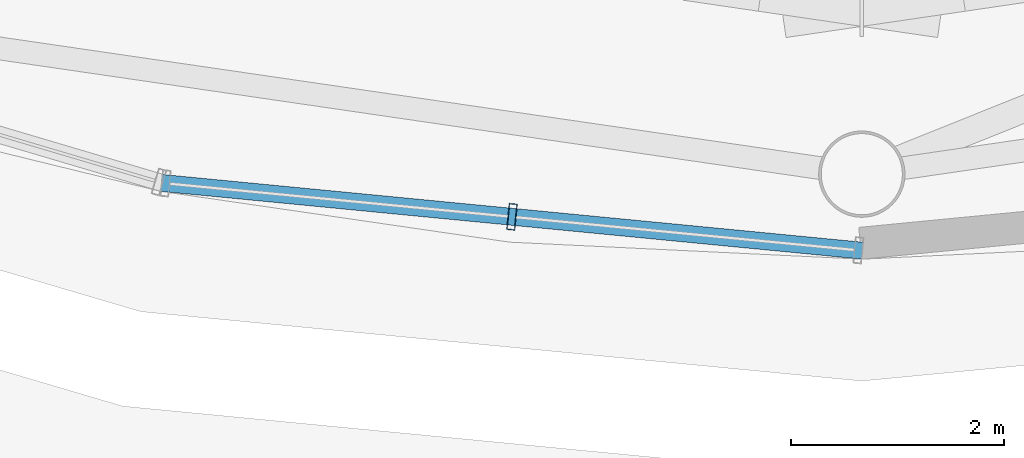
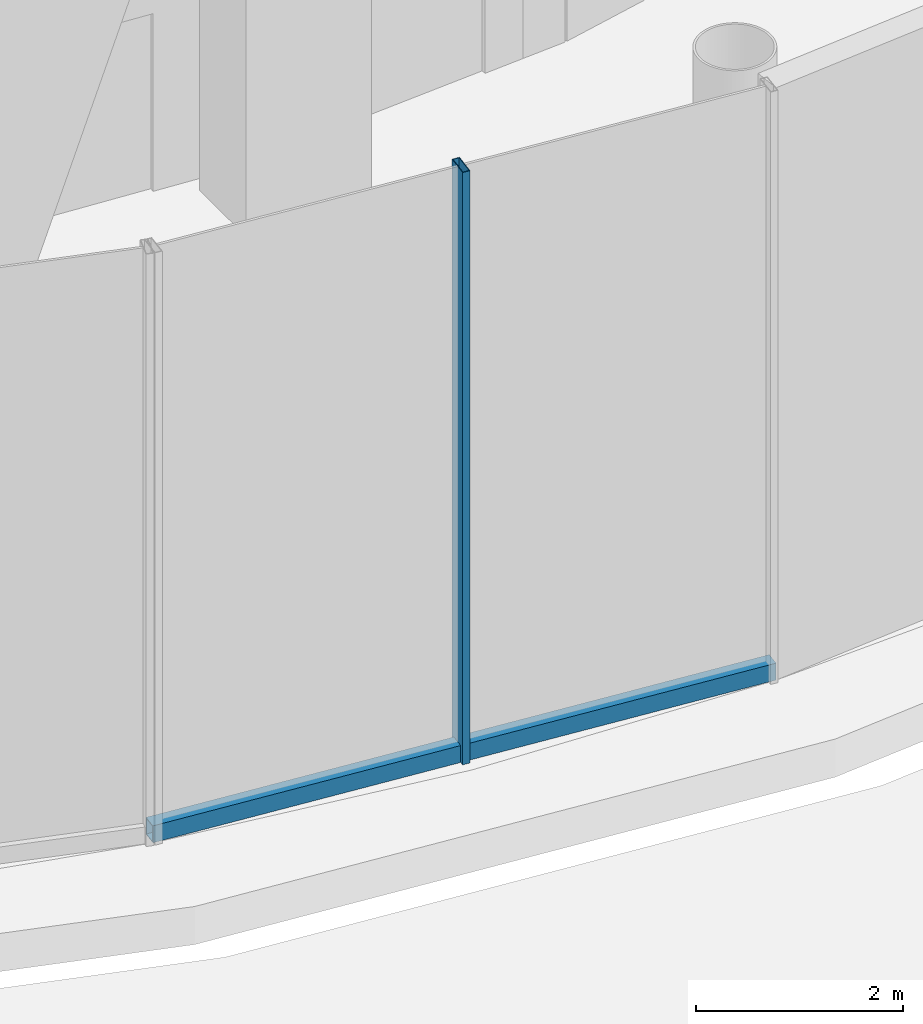
# One storey, part 12 of 67: 2 members, 1 element without a shape of its own.
"""IFC4 building model written with IfcOpenShell, lengths in metres."""

from ifc_helpers import new_model, si_unit, direction, frame, origin, origin_2d, place, context, subcontext, project, spatial, hollow_rectangle, extrude, material, layer, layer_set, material_profile, profile_set, type_object, element, aggregate, save


model = new_model("IFC4")

# Units and contexts
model_context = context("Model", 3, precision=1e-05, world=origin(), true_north=direction((0.0, 1.0)))
body_context = subcontext(model_context, "Body", "Model", "MODEL_VIEW")
ifc_project = project(units=[si_unit("LENGTHUNIT", "METRE"), si_unit("AREAUNIT", "SQUARE_METRE"), si_unit("VOLUMEUNIT", "CUBIC_METRE"), si_unit("PLANEANGLEUNIT", "RADIAN"), si_unit("MASSUNIT", "GRAM", prefix="KILO")], contexts=[model_context])

# Site, building, storey
site_placement = place(None, origin())
site = spatial("IfcSite", under=ifc_project, at=site_placement, CompositionType="ELEMENT")
building_placement = place(site_placement, origin())
building = spatial("IfcBuilding", under=site, at=building_placement, Name="Nagisa Residences", CompositionType="ELEMENT")
storey_placement = place(building_placement, origin())
storey = spatial("IfcBuildingStorey", under=building, at=storey_placement, Name="L00", CompositionType="ELEMENT", Elevation=0.0)

# Curtain wall, members
ifc_material_1 = material(Name="Stainless steel curtain wall system", Category="steel")
ifc_layer = layer(ifc_material_1, 0.159912109375)
ifc_layer_set = layer_set([ifc_layer], Name="CW3 CURTAIN WALL")
curtain_wall_type = type_object("IfcCurtainWallType", Name="CW3 CURTAIN WALL", PredefinedType="NOTDEFINED", material=ifc_layer_set)
curtain_wall_placement = place(storey_placement, origin())
curtain_wall = element("IfcCurtainWall", 1, at=curtain_wall_placement, inside=storey, type_object=curtain_wall_type, Name="cw:CW3:L00:26", PredefinedType="NOTDEFINED")
ifc_material_2 = material(Name="Stainless steel", Category="steel")
ifc_material_profile_1 = material_profile(ifc_material_2, hollow_rectangle(XDim=0.25, YDim=0.080078125, WallThickness=0.008056640625, at=origin_2d()), Name="CW3 MULLION 250x80")
ifc_profile_set_1 = profile_set([ifc_material_profile_1], Name="Stainless steel")
member_type_1 = type_object("IfcMemberType", Name="CW3 MULLION 250x80", PredefinedType="MULLION", material=ifc_profile_set_1)
member_1_placement = place(storey_placement, frame((0.308349609375, -41.601318359375, 0.0), z_axis=(0.0, 0.0, 1.0), x_axis=(0.096249055035, 0.995357282289, 0.0)))
member_1 = element("IfcMember", 2, at=member_1_placement, type_object=member_type_1, Name="CW3 mullion", PredefinedType="MULLION", context=body_context, shape_type="SweptSolid", body=[
    extrude(hollow_rectangle(XDim=0.25, YDim=0.080078125, WallThickness=0.008056640625, at=origin_2d()), origin(), (0.0, 0.0, 1.0), 7.0),
])
ifc_material_3 = material(Name="Stainless steel", Category="steel")
ifc_material_profile_2 = material_profile(ifc_material_3, hollow_rectangle(XDim=0.159912109375, YDim=0.199951171875, WallThickness=0.008056640625, at=origin_2d()), Name="CW3 TRANSOM 160x200")
ifc_profile_set_2 = profile_set([ifc_material_profile_2], Name="Stainless steel")
member_type_2 = type_object("IfcMemberType", Name="CW3 TRANSOM 160x200", PredefinedType="USERDEFINED", material=ifc_profile_set_2)
member_2_placement = place(storey_placement, frame((-2.990966796875, -41.2822265625, 0.10009765625), z_axis=(0.995355706687, -0.096265347687, 0.0), x_axis=(0.096265347687, 0.995355706687, 0.0)))
member_2 = element("IfcMember", 3, at=member_2_placement, type_object=member_type_2, Name="CW3 transom", ObjectType="TRANSOM", PredefinedType="USERDEFINED", context=body_context, shape_type="SweptSolid", body=[
    extrude(hollow_rectangle(XDim=0.159912109375, YDim=0.199951171875, WallThickness=0.008056640625, at=origin_2d()), origin(), (0.0, 0.0, 1.0), 6.62939453125),
])
aggregate(curtain_wall, [member_1, member_2])

save(model, "model.ifc")
